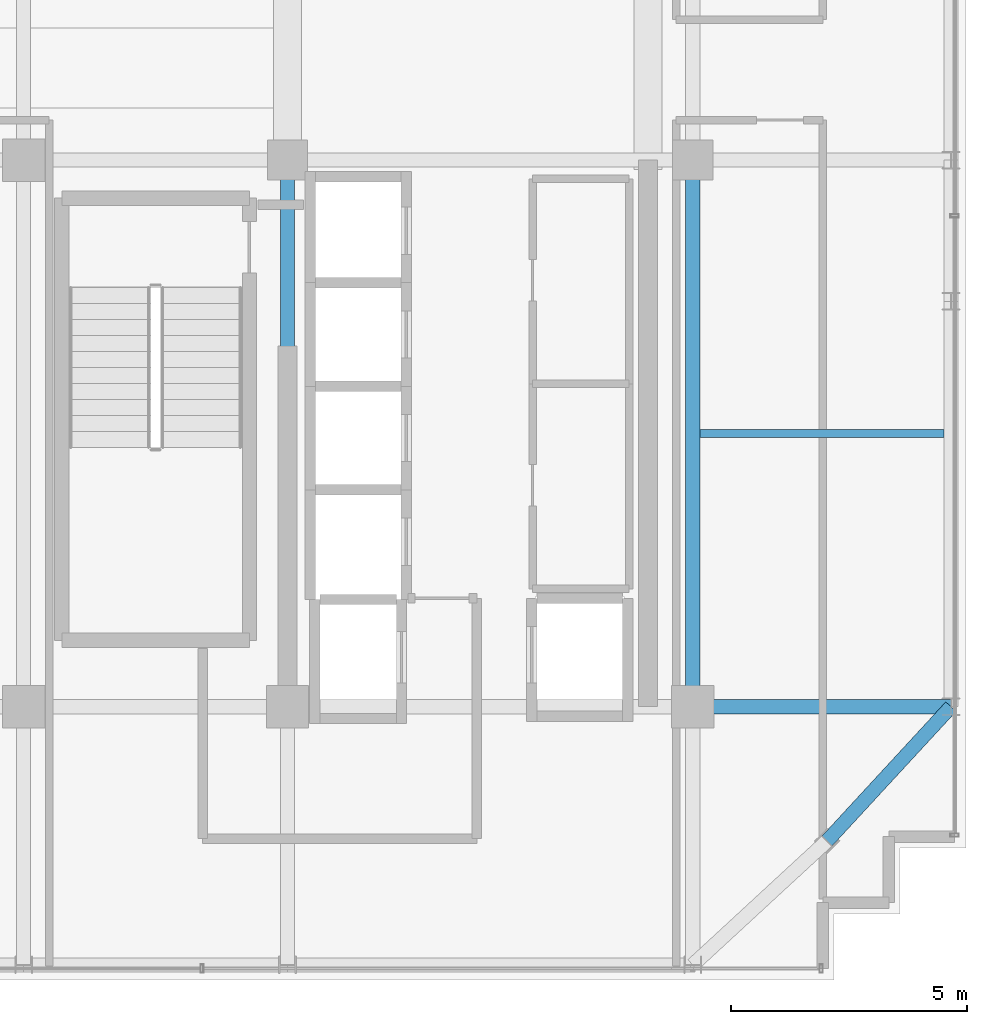
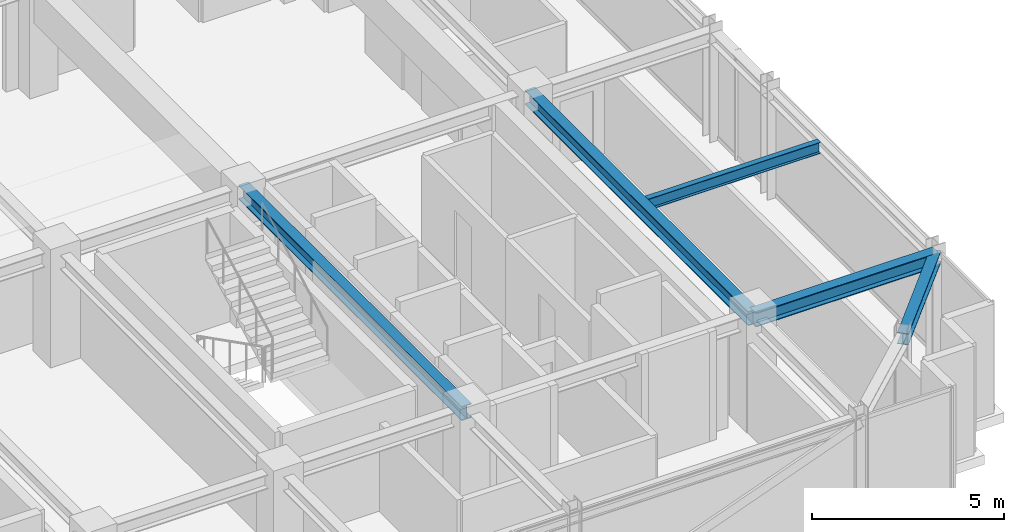
# One storey, part 13 of 34: 5 beams.
"""IFC4 building model written with IfcOpenShell, lengths in metres."""

from ifc_helpers import new_model, si_unit, direction, frame, origin, origin_2d, place, context, subcontext, project, spatial, i_section, extrude, source, transform, mapped, material, material_profile, profile_set, type_object, element, save


model = new_model("IFC4")

# Units and contexts
model_context = context("Model", 3, precision=1e-05, world=origin(), true_north=direction((0.0, 1.0)))
body_context = subcontext(model_context, "Body", "Model", "MODEL_VIEW")
ifc_project = project(units=[si_unit("LENGTHUNIT", "METRE"), si_unit("AREAUNIT", "SQUARE_METRE"), si_unit("VOLUMEUNIT", "CUBIC_METRE"), si_unit("PLANEANGLEUNIT", "RADIAN"), si_unit("MASSUNIT", "GRAM", prefix="KILO")], contexts=[model_context])

# Site, building, storey
site_placement = place(None, origin())
site = spatial("IfcSite", under=ifc_project, at=site_placement, CompositionType="ELEMENT")
building_placement = place(site_placement, origin())
building = spatial("IfcBuilding", under=site, at=building_placement, Name="Nahalor Promenade Grand Hotel", CompositionType="ELEMENT")
storey_placement = place(building_placement, frame((0.0, 0.0, 334.75)))
storey = spatial("IfcBuildingStorey", under=building, at=storey_placement, Name="L86", CompositionType="ELEMENT", Elevation=334.75)

# Beams
ifc_material = material(Name="Steel S355JR", Category="steel")
ifc_material_profile_1 = material_profile(ifc_material, i_section(OverallWidth=0.3, OverallDepth=0.45, WebThickness=0.014, FlangeThickness=0.026, at=origin_2d()), Name="HEB 450")
ifc_profile_set_1 = profile_set([ifc_material_profile_1], Name="Steel S355JR")
beam_type_1 = type_object("IfcBeamType", Name="Beam-Girder-HEB450", PredefinedType="BEAM", material=ifc_profile_set_1)
shared_shape_1 = source(origin(), body_context, "Body", "SweptSolid", [
    extrude(i_section(OverallWidth=0.3, OverallDepth=0.45, WebThickness=0.014, FlangeThickness=0.026, at=origin_2d()), origin(), (0.0, 0.0, 1.0), 11.60009765625),
])
for number, where, z_axis, x_axis, name in (
    (1, (8.39990234375, -17.0, 3.2451171875), (0.0, 1.0, 0.0), (-1.0, 0.0, 0.0), "BM-L86-GY-4-1"),
    (2, (17.0, -17.0, 3.2451171875), (0.0, 1.0, 0.0), (-1.0, 0.0, 0.0), "BM-L86-GY-5-1"),
):
    element("IfcBeam", number, at=place(storey_placement, frame(where, z_axis=z_axis, x_axis=x_axis)), inside=storey, type_object=beam_type_1, Name=name, PredefinedType="BEAM", context=body_context, shape_type="MappedRepresentation", body=[
        mapped(shared_shape_1, transform((0.0, 0.0, 0.0), scale=1.0)),
    ])
shared_shape_2 = source(origin(), body_context, "Body", "SweptSolid", [
    extrude(i_section(OverallWidth=0.3, OverallDepth=0.45, WebThickness=0.014, FlangeThickness=0.026, at=origin_2d()), origin(), (0.0, 0.0, 1.0), 5.47998046875),
])
beam_1_placement = place(storey_placement, frame((17.0, -17.0, 3.2451171875), z_axis=(1.0, 0.0, 0.0), x_axis=(0.0, 1.0, 0.0)))
element("IfcBeam", 3, at=beam_1_placement, inside=storey, type_object=beam_type_1, Name="BM-L86-GX-0-6", PredefinedType="BEAM", context=body_context, shape_type="MappedRepresentation", body=[
    mapped(shared_shape_2, transform((0.0, 0.0, 0.0), scale=1.0)),
])
ifc_material_profile_2 = material_profile(ifc_material, i_section(OverallWidth=0.3, OverallDepth=0.36, WebThickness=0.0125, FlangeThickness=0.0225, at=origin_2d()), Name="HEB 360")
ifc_profile_set_2 = profile_set([ifc_material_profile_2], Name="Steel S355JR")
beam_type_2 = type_object("IfcBeamType", Name="Beam-Spandrel-HEB360", PredefinedType="SPANDREL", material=ifc_profile_set_2)
shared_shape_3 = source(origin(), body_context, "Body", "SweptSolid", [
    extrude(i_section(OverallWidth=0.3, OverallDepth=0.36, WebThickness=0.0125, FlangeThickness=0.0225, at=origin_2d()), origin(), (0.0, 0.0, 1.0), 3.878173828125),
])
beam_2_placement = place(storey_placement, frame((19.85009765625, -19.85009765625, 3.2900390625), z_axis=(0.678144125843, 0.73492893846, 0.0), x_axis=(-0.73492893846, 0.678144125843, 0.0)))
element("IfcBeam", 4, at=beam_2_placement, inside=storey, type_object=beam_type_2, Name="BM-L86-SPC-SE-2", PredefinedType="SPANDREL", context=body_context, shape_type="MappedRepresentation", body=[
    mapped(shared_shape_3, transform((0.0, 0.0, 0.0), scale=1.0)),
])
ifc_material_profile_3 = material_profile(ifc_material, i_section(OverallWidth=0.17, OverallDepth=0.36, WebThickness=0.008, FlangeThickness=0.0127, at=origin_2d()), Name="IPE 360")
ifc_profile_set_3 = profile_set([ifc_material_profile_3], Name="Steel S355JR")
beam_type_3 = type_object("IfcBeamType", Name="Beam-Joist-IPE360", PredefinedType="JOIST", material=ifc_profile_set_3)
shared_shape_4 = source(origin(), body_context, "Body", "SweptSolid", [
    extrude(i_section(OverallWidth=0.17, OverallDepth=0.36, WebThickness=0.008, FlangeThickness=0.0127, at=origin_2d()), origin(), (0.0, 0.0, 1.0), 5.18017578125),
])
beam_3_placement = place(storey_placement, frame((17.14990234375, -11.199951171875, 3.2900390625), z_axis=(1.0, 0.0, 0.0), x_axis=(0.0, 1.0, 0.0)))
element("IfcBeam", 5, at=beam_3_placement, inside=storey, type_object=beam_type_3, Name="BM-L86-JSE-0-2", PredefinedType="JOIST", context=body_context, shape_type="MappedRepresentation", body=[
    mapped(shared_shape_4, transform((0.0, 0.0, 0.0), scale=1.0)),
])

save(model, "model.ifc")
